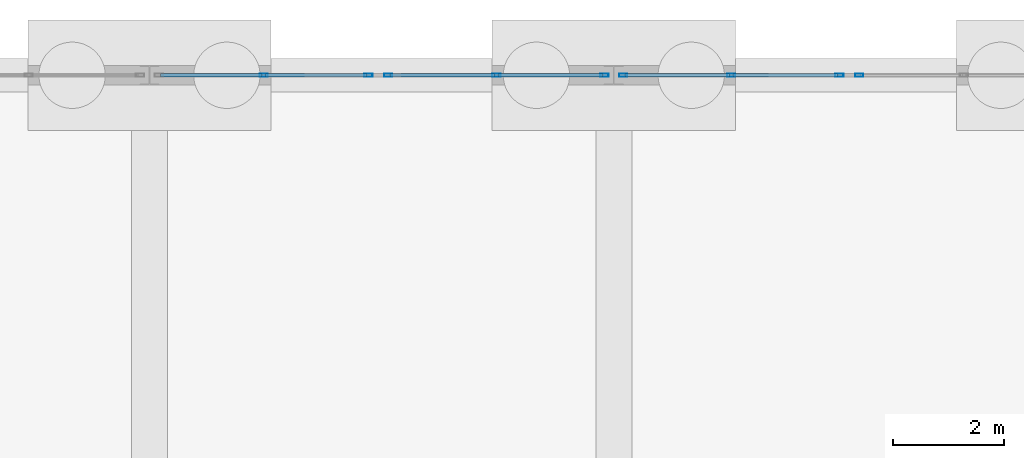
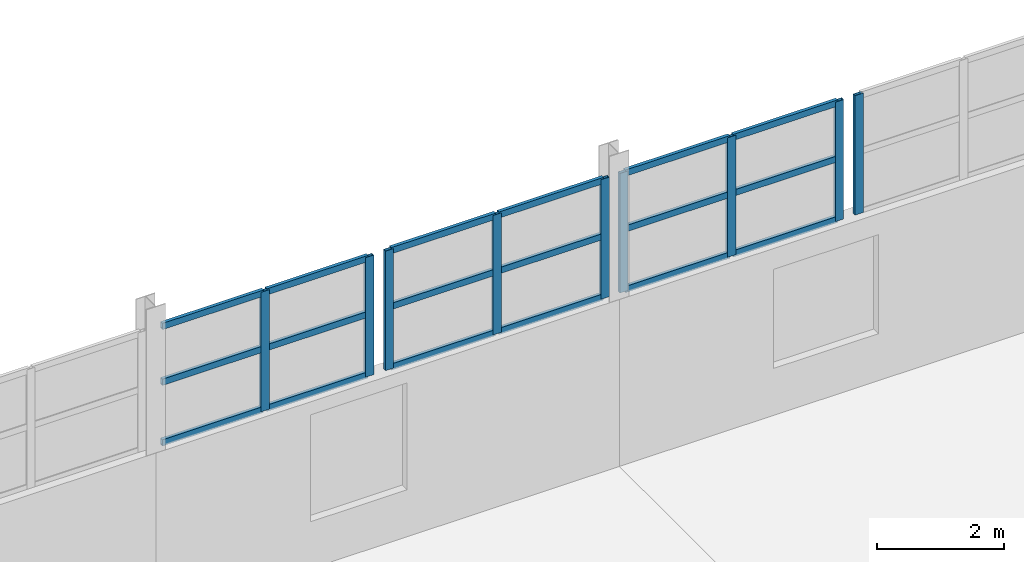
# One storey, part 100 of 139: 27 members, 4 elements without a shape of their own.
"""IFC4 building model written with IfcOpenShell, lengths in metres."""

from ifc_helpers import new_model, si_unit, direction, frame, origin, origin_2d, place, context, subcontext, project, spatial, hollow_rectangle, extrude, material, material_profile, profile_set, type_object, element, aggregate, save


model = new_model("IFC4")

# Units and contexts
model_context = context("Model", 3, precision=1e-05, world=origin(), true_north=direction((0.0, 1.0)))
body_context = subcontext(model_context, "Body", "Model", "MODEL_VIEW")
ifc_project = project(units=[si_unit("LENGTHUNIT", "METRE"), si_unit("AREAUNIT", "SQUARE_METRE"), si_unit("VOLUMEUNIT", "CUBIC_METRE"), si_unit("PLANEANGLEUNIT", "RADIAN"), si_unit("MASSUNIT", "GRAM", prefix="KILO")], contexts=[model_context])

# Site, building, storey
site_placement = place(None, origin())
site = spatial("IfcSite", under=ifc_project, at=site_placement, CompositionType="ELEMENT")
building_placement = place(site_placement, origin())
building = spatial("IfcBuilding", under=site, at=building_placement, Name="Kazenagashi Tramway Depot", CompositionType="ELEMENT")
storey_placement = place(building_placement, origin())
storey = spatial("IfcBuildingStorey", under=building, at=storey_placement, Name="L01", CompositionType="ELEMENT", Elevation=0.0)

# Curtain wall, members
ifc_material_1 = material(Name="Anodised Aluminium and Low-E Glazing", Category="aluminium")
curtain_wall_type_1 = type_object("IfcCurtainWallType", Name="CW-18", PredefinedType="USERDEFINED", material=ifc_material_1)
curtain_wall_1_placement = place(storey_placement, origin())
curtain_wall_1 = element("IfcCurtainWall", 1, at=curtain_wall_1_placement, inside=storey, type_object=curtain_wall_type_1, Name="Industrial Glazed Screen CW-18 CW-0085", ObjectType="GLAZED SCREEN", PredefinedType="USERDEFINED")
ifc_material_2 = material(Name="Anodised Aluminium", Category="aluminium")
ifc_material_profile_1 = material_profile(ifc_material_2, hollow_rectangle(XDim=0.06, YDim=0.15, WallThickness=0.004, at=origin_2d()), Name="RHS-150x60x4")
ifc_profile_set_1 = profile_set([ifc_material_profile_1], Name="Anodised Aluminium")
member_type_1 = type_object("IfcMemberType", Name="ML-01", PredefinedType="MULLION", material=ifc_profile_set_1)
member_1_placement = place(storey_placement, frame((156.065, 130.0, 3.2), z_axis=(0.0, 0.0, 1.0), x_axis=(0.0, 1.0, 0.0)))
member_1 = element("IfcMember", 2, at=member_1_placement, type_object=member_type_1, Name="CW-18 mullion 2", PredefinedType="MULLION", context=body_context, shape_type="SweptSolid", body=[
    extrude(hollow_rectangle(XDim=0.06, YDim=0.15, WallThickness=0.004, at=origin_2d()), origin(), (0.0, 0.0, 1.0), 2.292),
])
member_2_placement = place(storey_placement, frame((157.96, 130.0, 3.2), z_axis=(0.0, 0.0, 1.0), x_axis=(0.0, 1.0, 0.0)))
member_2 = element("IfcMember", 3, at=member_2_placement, type_object=member_type_1, Name="CW-18 mullion 3", PredefinedType="MULLION", context=body_context, shape_type="SweptSolid", body=[
    extrude(hollow_rectangle(XDim=0.06, YDim=0.15, WallThickness=0.004, at=origin_2d()), origin(), (0.0, 0.0, 1.0), 2.292),
])

curtain_wall_type_2 = type_object("IfcCurtainWallType", Name="CW-19", PredefinedType="USERDEFINED", material=ifc_material_1)
curtain_wall_2_placement = place(storey_placement, origin())
curtain_wall_2 = element("IfcCurtainWall", 4, at=curtain_wall_2_placement, inside=storey, type_object=curtain_wall_type_2, Name="Industrial Glazed Screen CW-19 CW-0086", ObjectType="GLAZED SCREEN", PredefinedType="USERDEFINED")
member_3_placement = place(storey_placement, frame((158.32, 130.0, 3.2), z_axis=(0.0, 0.0, 1.0), x_axis=(0.0, 1.0, 0.0)))
member_3 = element("IfcMember", 5, at=member_3_placement, type_object=member_type_1, Name="CW-19 mullion 1", PredefinedType="MULLION", context=body_context, shape_type="SweptSolid", body=[
    extrude(hollow_rectangle(XDim=0.06, YDim=0.15, WallThickness=0.004, at=origin_2d()), origin(), (0.0, 0.0, 1.0), 2.292),
])
member_4_placement = place(storey_placement, frame((160.275, 130.0, 3.2), z_axis=(0.0, 0.0, 1.0), x_axis=(0.0, 1.0, 0.0)))
member_4 = element("IfcMember", 6, at=member_4_placement, type_object=member_type_1, Name="CW-19 mullion 2", PredefinedType="MULLION", context=body_context, shape_type="SweptSolid", body=[
    extrude(hollow_rectangle(XDim=0.06, YDim=0.15, WallThickness=0.004, at=origin_2d()), origin(), (0.0, 0.0, 1.0), 2.292),
])
member_5_placement = place(storey_placement, frame((162.23, 130.0, 3.2), z_axis=(0.0, 0.0, 1.0), x_axis=(0.0, 1.0, 0.0)))
member_5 = element("IfcMember", 7, at=member_5_placement, type_object=member_type_1, Name="CW-19 mullion 3", PredefinedType="MULLION", context=body_context, shape_type="SweptSolid", body=[
    extrude(hollow_rectangle(XDim=0.06, YDim=0.15, WallThickness=0.004, at=origin_2d()), origin(), (0.0, 0.0, 1.0), 2.292),
])

curtain_wall_3_placement = place(storey_placement, origin())
curtain_wall_3 = element("IfcCurtainWall", 8, at=curtain_wall_3_placement, inside=storey, type_object=curtain_wall_type_2, Name="Industrial Glazed Screen CW-19 CW-0088", ObjectType="GLAZED SCREEN", PredefinedType="USERDEFINED")
member_6_placement = place(storey_placement, frame((162.57, 130.0, 3.2), z_axis=(0.0, 0.0, 1.0), x_axis=(0.0, 1.0, 0.0)))
member_6 = element("IfcMember", 9, at=member_6_placement, type_object=member_type_1, Name="CW-19 mullion 1", PredefinedType="MULLION", context=body_context, shape_type="SweptSolid", body=[
    extrude(hollow_rectangle(XDim=0.06, YDim=0.15, WallThickness=0.004, at=origin_2d()), origin(), (0.0, 0.0, 1.0), 2.292),
])
member_7_placement = place(storey_placement, frame((164.525, 130.0, 3.2), z_axis=(0.0, 0.0, 1.0), x_axis=(0.0, 1.0, 0.0)))
member_7 = element("IfcMember", 10, at=member_7_placement, type_object=member_type_1, Name="CW-19 mullion 2", PredefinedType="MULLION", context=body_context, shape_type="SweptSolid", body=[
    extrude(hollow_rectangle(XDim=0.06, YDim=0.15, WallThickness=0.004, at=origin_2d()), origin(), (0.0, 0.0, 1.0), 2.292),
])
member_8_placement = place(storey_placement, frame((166.48, 130.0, 3.2), z_axis=(0.0, 0.0, 1.0), x_axis=(0.0, 1.0, 0.0)))
member_8 = element("IfcMember", 11, at=member_8_placement, type_object=member_type_1, Name="CW-19 mullion 3", PredefinedType="MULLION", context=body_context, shape_type="SweptSolid", body=[
    extrude(hollow_rectangle(XDim=0.06, YDim=0.15, WallThickness=0.004, at=origin_2d()), origin(), (0.0, 0.0, 1.0), 2.292),
])

# Curtain wall, member
curtain_wall_4_placement = place(storey_placement, origin())
curtain_wall_4 = element("IfcCurtainWall", 12, at=curtain_wall_4_placement, inside=storey, type_object=curtain_wall_type_1, Name="Industrial Glazed Screen CW-18 CW-0089", ObjectType="GLAZED SCREEN", PredefinedType="USERDEFINED")
member_9_placement = place(storey_placement, frame((166.84, 130.0, 3.2), z_axis=(0.0, 0.0, 1.0), x_axis=(0.0, 1.0, 0.0)))
member_9 = element("IfcMember", 13, at=member_9_placement, type_object=member_type_1, Name="CW-18 mullion 1", PredefinedType="MULLION", context=body_context, shape_type="SweptSolid", body=[
    extrude(hollow_rectangle(XDim=0.06, YDim=0.15, WallThickness=0.004, at=origin_2d()), origin(), (0.0, 0.0, 1.0), 2.292),
])
aggregate(curtain_wall_4, [member_9])

# Member
ifc_material_profile_2 = material_profile(ifc_material_2, hollow_rectangle(XDim=0.06, YDim=0.12, WallThickness=0.004, at=origin_2d()), Name="RHS-120x60x4")
ifc_profile_set_2 = profile_set([ifc_material_profile_2], Name="Anodised Aluminium")
member_type_2 = type_object("IfcMemberType", Name="TR-01", PredefinedType="USERDEFINED", material=ifc_profile_set_2)
member_10_placement = place(storey_placement, frame((154.2, 130.0, 3.23), z_axis=(1.0, 0.0, 0.0), x_axis=(0.0, 1.0, 0.0)))
member_10 = element("IfcMember", 14, at=member_10_placement, type_object=member_type_2, Name="CW-18 transom 1.1", ObjectType="TRANSOM", PredefinedType="USERDEFINED", context=body_context, shape_type="SweptSolid", body=[
    extrude(hollow_rectangle(XDim=0.06, YDim=0.12, WallThickness=0.004, at=origin_2d()), origin(), (0.0, 0.0, 1.0), 1.835),
])

member_11_placement = place(storey_placement, frame((154.2, 130.0, 4.392), z_axis=(1.0, 0.0, 0.0), x_axis=(0.0, 1.0, 0.0)))
member_11 = element("IfcMember", 15, at=member_11_placement, type_object=member_type_2, Name="CW-18 transom 1.2", ObjectType="TRANSOM", PredefinedType="USERDEFINED", context=body_context, shape_type="SweptSolid", body=[
    extrude(hollow_rectangle(XDim=0.06, YDim=0.12, WallThickness=0.004, at=origin_2d()), origin(), (0.0, 0.0, 1.0), 1.835),
])

member_12_placement = place(storey_placement, frame((154.2, 130.0, 5.462), z_axis=(1.0, 0.0, 0.0), x_axis=(0.0, 1.0, 0.0)))
member_12 = element("IfcMember", 16, at=member_12_placement, type_object=member_type_2, Name="CW-18 transom 1.3", ObjectType="TRANSOM", PredefinedType="USERDEFINED", context=body_context, shape_type="SweptSolid", body=[
    extrude(hollow_rectangle(XDim=0.06, YDim=0.12, WallThickness=0.004, at=origin_2d()), origin(), (0.0, 0.0, 1.0), 1.835),
])

member_13_placement = place(storey_placement, frame((156.095, 130.0, 3.23), z_axis=(1.0, 0.0, 0.0), x_axis=(0.0, 1.0, 0.0)))
member_13 = element("IfcMember", 17, at=member_13_placement, type_object=member_type_2, Name="CW-18 transom 2.1", ObjectType="TRANSOM", PredefinedType="USERDEFINED", context=body_context, shape_type="SweptSolid", body=[
    extrude(hollow_rectangle(XDim=0.06, YDim=0.12, WallThickness=0.004, at=origin_2d()), origin(), (0.0, 0.0, 1.0), 1.835),
])

member_14_placement = place(storey_placement, frame((156.095, 130.0, 4.392), z_axis=(1.0, 0.0, 0.0), x_axis=(0.0, 1.0, 0.0)))
member_14 = element("IfcMember", 18, at=member_14_placement, type_object=member_type_2, Name="CW-18 transom 2.2", ObjectType="TRANSOM", PredefinedType="USERDEFINED", context=body_context, shape_type="SweptSolid", body=[
    extrude(hollow_rectangle(XDim=0.06, YDim=0.12, WallThickness=0.004, at=origin_2d()), origin(), (0.0, 0.0, 1.0), 1.835),
])

member_15_placement = place(storey_placement, frame((156.095, 130.0, 5.462), z_axis=(1.0, 0.0, 0.0), x_axis=(0.0, 1.0, 0.0)))
member_15 = element("IfcMember", 19, at=member_15_placement, type_object=member_type_2, Name="CW-18 transom 2.3", ObjectType="TRANSOM", PredefinedType="USERDEFINED", context=body_context, shape_type="SweptSolid", body=[
    extrude(hollow_rectangle(XDim=0.06, YDim=0.12, WallThickness=0.004, at=origin_2d()), origin(), (0.0, 0.0, 1.0), 1.835),
])

aggregate(curtain_wall_1, [member_1, member_2, member_10, member_11, member_12, member_13, member_14, member_15])

member_16_placement = place(storey_placement, frame((158.35, 130.0, 3.23), z_axis=(1.0, 0.0, 0.0), x_axis=(0.0, 1.0, 0.0)))
member_16 = element("IfcMember", 20, at=member_16_placement, type_object=member_type_2, Name="CW-19 transom 1.1", ObjectType="TRANSOM", PredefinedType="USERDEFINED", context=body_context, shape_type="SweptSolid", body=[
    extrude(hollow_rectangle(XDim=0.06, YDim=0.12, WallThickness=0.004, at=origin_2d()), origin(), (0.0, 0.0, 1.0), 1.895),
])

member_17_placement = place(storey_placement, frame((158.35, 130.0, 4.392), z_axis=(1.0, 0.0, 0.0), x_axis=(0.0, 1.0, 0.0)))
member_17 = element("IfcMember", 21, at=member_17_placement, type_object=member_type_2, Name="CW-19 transom 1.2", ObjectType="TRANSOM", PredefinedType="USERDEFINED", context=body_context, shape_type="SweptSolid", body=[
    extrude(hollow_rectangle(XDim=0.06, YDim=0.12, WallThickness=0.004, at=origin_2d()), origin(), (0.0, 0.0, 1.0), 1.895),
])

member_18_placement = place(storey_placement, frame((158.35, 130.0, 5.462), z_axis=(1.0, 0.0, 0.0), x_axis=(0.0, 1.0, 0.0)))
member_18 = element("IfcMember", 22, at=member_18_placement, type_object=member_type_2, Name="CW-19 transom 1.3", ObjectType="TRANSOM", PredefinedType="USERDEFINED", context=body_context, shape_type="SweptSolid", body=[
    extrude(hollow_rectangle(XDim=0.06, YDim=0.12, WallThickness=0.004, at=origin_2d()), origin(), (0.0, 0.0, 1.0), 1.895),
])

member_19_placement = place(storey_placement, frame((160.305, 130.0, 3.23), z_axis=(1.0, 0.0, 0.0), x_axis=(0.0, 1.0, 0.0)))
member_19 = element("IfcMember", 23, at=member_19_placement, type_object=member_type_2, Name="CW-19 transom 2.1", ObjectType="TRANSOM", PredefinedType="USERDEFINED", context=body_context, shape_type="SweptSolid", body=[
    extrude(hollow_rectangle(XDim=0.06, YDim=0.12, WallThickness=0.004, at=origin_2d()), origin(), (0.0, 0.0, 1.0), 1.895),
])

member_20_placement = place(storey_placement, frame((160.305, 130.0, 4.392), z_axis=(1.0, 0.0, 0.0), x_axis=(0.0, 1.0, 0.0)))
member_20 = element("IfcMember", 24, at=member_20_placement, type_object=member_type_2, Name="CW-19 transom 2.2", ObjectType="TRANSOM", PredefinedType="USERDEFINED", context=body_context, shape_type="SweptSolid", body=[
    extrude(hollow_rectangle(XDim=0.06, YDim=0.12, WallThickness=0.004, at=origin_2d()), origin(), (0.0, 0.0, 1.0), 1.895),
])

member_21_placement = place(storey_placement, frame((160.305, 130.0, 5.462), z_axis=(1.0, 0.0, 0.0), x_axis=(0.0, 1.0, 0.0)))
member_21 = element("IfcMember", 25, at=member_21_placement, type_object=member_type_2, Name="CW-19 transom 2.3", ObjectType="TRANSOM", PredefinedType="USERDEFINED", context=body_context, shape_type="SweptSolid", body=[
    extrude(hollow_rectangle(XDim=0.06, YDim=0.12, WallThickness=0.004, at=origin_2d()), origin(), (0.0, 0.0, 1.0), 1.895),
])

aggregate(curtain_wall_2, [member_3, member_4, member_5, member_16, member_17, member_18, member_19, member_20, member_21])

member_22_placement = place(storey_placement, frame((162.6, 130.0, 3.23), z_axis=(1.0, 0.0, 0.0), x_axis=(0.0, 1.0, 0.0)))
member_22 = element("IfcMember", 26, at=member_22_placement, type_object=member_type_2, Name="CW-19 transom 1.1", ObjectType="TRANSOM", PredefinedType="USERDEFINED", context=body_context, shape_type="SweptSolid", body=[
    extrude(hollow_rectangle(XDim=0.06, YDim=0.12, WallThickness=0.004, at=origin_2d()), origin(), (0.0, 0.0, 1.0), 1.895),
])

member_23_placement = place(storey_placement, frame((162.6, 130.0, 4.392), z_axis=(1.0, 0.0, 0.0), x_axis=(0.0, 1.0, 0.0)))
member_23 = element("IfcMember", 27, at=member_23_placement, type_object=member_type_2, Name="CW-19 transom 1.2", ObjectType="TRANSOM", PredefinedType="USERDEFINED", context=body_context, shape_type="SweptSolid", body=[
    extrude(hollow_rectangle(XDim=0.06, YDim=0.12, WallThickness=0.004, at=origin_2d()), origin(), (0.0, 0.0, 1.0), 1.895),
])

member_24_placement = place(storey_placement, frame((162.6, 130.0, 5.462), z_axis=(1.0, 0.0, 0.0), x_axis=(0.0, 1.0, 0.0)))
member_24 = element("IfcMember", 28, at=member_24_placement, type_object=member_type_2, Name="CW-19 transom 1.3", ObjectType="TRANSOM", PredefinedType="USERDEFINED", context=body_context, shape_type="SweptSolid", body=[
    extrude(hollow_rectangle(XDim=0.06, YDim=0.12, WallThickness=0.004, at=origin_2d()), origin(), (0.0, 0.0, 1.0), 1.895),
])

member_25_placement = place(storey_placement, frame((164.555, 130.0, 3.23), z_axis=(1.0, 0.0, 0.0), x_axis=(0.0, 1.0, 0.0)))
member_25 = element("IfcMember", 29, at=member_25_placement, type_object=member_type_2, Name="CW-19 transom 2.1", ObjectType="TRANSOM", PredefinedType="USERDEFINED", context=body_context, shape_type="SweptSolid", body=[
    extrude(hollow_rectangle(XDim=0.06, YDim=0.12, WallThickness=0.004, at=origin_2d()), origin(), (0.0, 0.0, 1.0), 1.895),
])

member_26_placement = place(storey_placement, frame((164.555, 130.0, 4.392), z_axis=(1.0, 0.0, 0.0), x_axis=(0.0, 1.0, 0.0)))
member_26 = element("IfcMember", 30, at=member_26_placement, type_object=member_type_2, Name="CW-19 transom 2.2", ObjectType="TRANSOM", PredefinedType="USERDEFINED", context=body_context, shape_type="SweptSolid", body=[
    extrude(hollow_rectangle(XDim=0.06, YDim=0.12, WallThickness=0.004, at=origin_2d()), origin(), (0.0, 0.0, 1.0), 1.895),
])

member_27_placement = place(storey_placement, frame((164.555, 130.0, 5.462), z_axis=(1.0, 0.0, 0.0), x_axis=(0.0, 1.0, 0.0)))
member_27 = element("IfcMember", 31, at=member_27_placement, type_object=member_type_2, Name="CW-19 transom 2.3", ObjectType="TRANSOM", PredefinedType="USERDEFINED", context=body_context, shape_type="SweptSolid", body=[
    extrude(hollow_rectangle(XDim=0.06, YDim=0.12, WallThickness=0.004, at=origin_2d()), origin(), (0.0, 0.0, 1.0), 1.895),
])

aggregate(curtain_wall_3, [member_6, member_7, member_8, member_22, member_23, member_24, member_25, member_26, member_27])

save(model, "model.ifc")
